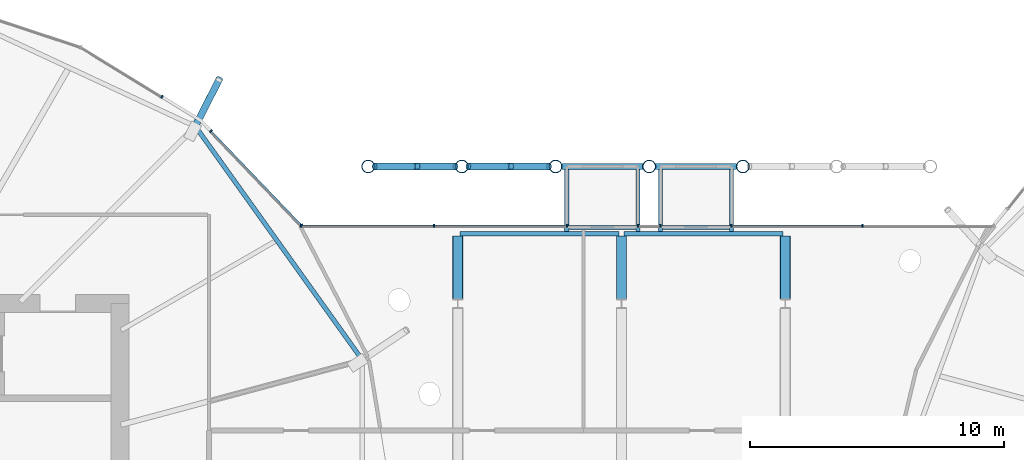
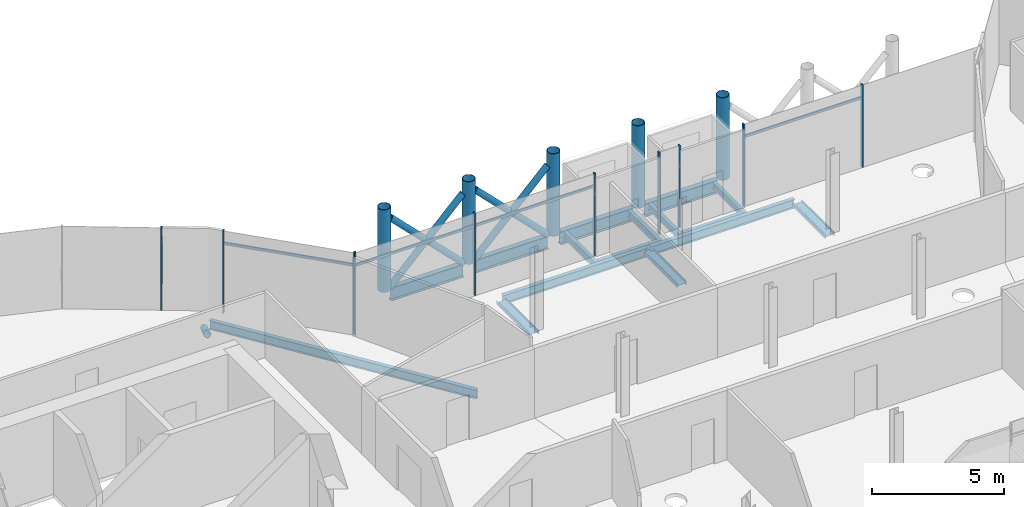
# One storey, part 11 of 40: 26 members, 16 beams, 2 elements without a shape of their own.
"""IFC4 building model written with IfcOpenShell, lengths in metres."""

import ifcopenshell
import ifcopenshell.guid

model = None  # the IFC model being written
_history = None  # IfcOwnerHistory: only IFC2X3 demands one
_inside = {}  # id of a spatial element -> (the spatial element, [elements in it])
_under = {}  # id of a project, library or spatial element -> (it, [spatial elements below it])
_declared = {}  # id of a project -> (the project, [libraries it declares])
_typed = {}  # id of a type object -> (the type object, [elements of that type])
_made_of = {}  # id of a material, layer set ... -> (it, [elements and type objects made of it])


def new_model(schema):
    """Start an empty IFC model of exactly this schema.

    Asked for "IFC4X3", IfcOpenShell would pick the latest addendum, in which some entities
    have other attributes; the version numbers below select the first issue.
    IFC2X3 requires an IfcOwnerHistory on every rooted entity: one is made here for all.
    """
    global model, _history
    if schema == "IFC4X3":
        model = ifcopenshell.file(schema_version=(4, 3, 0, 0))
    else:
        model = ifcopenshell.file(schema=schema)
    _inside.clear()
    _under.clear()
    _declared.clear()
    _typed.clear()
    _made_of.clear()
    _history = None
    if model.schema == "IFC2X3":
        org = make("IfcOrganization", Name="unknown")
        user = make(
            "IfcPersonAndOrganization",
            ThePerson=make("IfcPerson", FamilyName="unknown"),
            TheOrganization=org,
        )
        app = make(
            "IfcApplication",
            ApplicationDeveloper=org,
            Version="unknown",
            ApplicationFullName="unknown",
            ApplicationIdentifier="unknown",
        )
        _history = make(
            "IfcOwnerHistory",
            OwningUser=user,
            OwningApplication=app,
            ChangeAction="ADDED",
            CreationDate=0,
        )
    return model


def make(cls, **values):
    """One entity of the class cls with the attributes given. An attribute that is None is left unset."""
    return model.create_entity(
        cls, **{name: value for name, value in values.items() if value is not None}
    )


def rooted(cls, **values):
    """An entity with a GlobalId (a new one), such as an element, a storey or a relation."""
    return make(cls, GlobalId=ifcopenshell.guid.new(), OwnerHistory=_history, **values)


def si_unit(unit_type, name, prefix=None):
    """IfcSIUnit, for example si_unit("LENGTHUNIT", "METRE", prefix="MILLI")."""
    return make("IfcSIUnit", UnitType=unit_type, Prefix=prefix, Name=name)


def assignment(units):
    """IfcUnitAssignment: the units of a project."""
    return None if units is None else make("IfcUnitAssignment", Units=units)


def point(xyz):
    """IfcCartesianPoint."""
    return None if xyz is None else make("IfcCartesianPoint", Coordinates=xyz)


def direction(xyz):
    """IfcDirection."""
    return None if xyz is None else make("IfcDirection", DirectionRatios=xyz)


def frame(location, z_axis=None, x_axis=None):
    """IfcAxis2Placement3D, a coordinate frame: its origin and axes. An axis left out is left unset."""
    return make(
        "IfcAxis2Placement3D",
        Location=point(location),
        Axis=direction(z_axis),
        RefDirection=direction(x_axis),
    )


def frame_2d(location, x_axis=None):
    """IfcAxis2Placement2D, a coordinate frame in the plane: its origin and x axis."""
    return make(
        "IfcAxis2Placement2D", Location=point(location), RefDirection=direction(x_axis)
    )


def origin():
    """The frame at (0, 0, 0) with its axes left unset."""
    return frame((0.0, 0.0, 0.0))


def origin_2d():
    """The frame at (0, 0) in the plane with its x axis left unset."""
    return frame_2d((0.0, 0.0))


def place(relative_to, where):
    """IfcLocalPlacement: puts the frame where relative to a parent placement (None: the world)."""
    return make(
        "IfcLocalPlacement", PlacementRelTo=relative_to, RelativePlacement=where
    )


def context(
    kind, dimensions, precision=None, world=None, true_north=None, identifier=None
):
    """IfcGeometricRepresentationContext, for example the 3D "Model" context."""
    return make(
        "IfcGeometricRepresentationContext",
        ContextIdentifier=identifier,
        ContextType=kind,
        CoordinateSpaceDimension=dimensions,
        Precision=precision,
        WorldCoordinateSystem=world,
        TrueNorth=true_north,
    )


def subcontext(parent, identifier, kind, view, scale=None):
    """IfcGeometricRepresentationSubContext, for example "Body" below "Model"."""
    return make(
        "IfcGeometricRepresentationSubContext",
        ContextIdentifier=identifier,
        ContextType=kind,
        ParentContext=parent,
        TargetScale=scale,
        TargetView=view,
    )


def project(units=None, contexts=None):
    """IfcProject with its units and contexts."""
    return rooted(
        "IfcProject",
        Name="project",
        RepresentationContexts=contexts,
        UnitsInContext=assignment(units),
    )


def spatial(cls, under=None, at=None, **own):
    """A site, building, storey or space (cls), placed at a placement, below another one or the project."""
    s = rooted(cls, ObjectPlacement=at, **own)
    if under is not None:
        _under.setdefault(under.id(), (under, []))[1].append(s)
    return s


def profile(cls, at=None, kind="AREA", **sizes):
    """A parametric profile (cls). Its sizes go by their IFC names, for example OverallWidth=200.0."""
    return make(cls, ProfileType=kind, Position=at, **sizes)


def rectangle(**sizes):
    """IfcRectangleProfileDef."""
    return profile("IfcRectangleProfileDef", **sizes)


def hollow_circle(**sizes):
    """IfcCircleHollowProfileDef."""
    return profile("IfcCircleHollowProfileDef", **sizes)


def i_section(**sizes):
    """IfcIShapeProfileDef."""
    return profile("IfcIShapeProfileDef", **sizes)


def extrude(swept, where, along, depth):
    """IfcExtrudedAreaSolid: the profile swept, set in the frame where, extruded along a direction by depth."""
    return make(
        "IfcExtrudedAreaSolid",
        SweptArea=swept,
        Position=where,
        ExtrudedDirection=direction(along),
        Depth=depth,
    )


def clip(a, b, op="DIFFERENCE"):
    """IfcBooleanClippingResult: the solid a cut by the half space b."""
    return make(
        "IfcBooleanClippingResult", Operator=op, FirstOperand=a, SecondOperand=b
    )


def halfspace(plane, agree):
    """IfcHalfSpaceSolid: all space on one side of the plane z = 0 of the frame plane."""
    return make(
        "IfcHalfSpaceSolid",
        BaseSurface=make("IfcPlane", Position=plane),
        AgreementFlag=agree,
    )


def shape(context_of_items, identifier, shape_type, items):
    """IfcShapeRepresentation: the items that make up one representation, for example the "Body"."""
    return make(
        "IfcShapeRepresentation",
        ContextOfItems=context_of_items,
        RepresentationIdentifier=identifier,
        RepresentationType=shape_type,
        Items=items,
    )


def material(Name=None, Category=None):
    """IfcMaterial."""
    return make("IfcMaterial", Name=Name, Category=Category)


def material_profile(
    of_material, cross_section, Name=None, Category=None, Priority=None
):
    """IfcMaterialProfile: a cross section and its material."""
    return make(
        "IfcMaterialProfile",
        Name=Name,
        Material=of_material,
        Profile=cross_section,
        Priority=Priority,
        Category=Category,
    )


def profile_set(profiles, Name=None, composite=None):
    """IfcMaterialProfileSet."""
    return make(
        "IfcMaterialProfileSet",
        Name=Name,
        MaterialProfiles=profiles,
        CompositeProfile=composite,
    )


def made_of(thing, what):
    """Note that an element or type object is made of a material, layer set ...; save() writes the relation."""
    if what is not None:
        _made_of.setdefault(what.id(), (what, []))[1].append(thing)
    return thing


def type_object(cls, material=None, **own):
    """A type object (cls), such as IfcWallType, which elements share."""
    return made_of(rooted(cls, **own), material)


def element(
    cls,
    number,
    at=None,
    inside=None,
    cuts=None,
    type_object=None,
    material=None,
    context=None,
    identifier="Body",
    shape_type=None,
    held_by="IfcProductDefinitionShape",
    body=None,
    shapes=None,
    **own,
):
    """One element of the class cls, such as IfcWall. Its Tag is "e" and its number.

    at: its placement. inside: the storey or other place that contains it. cuts: it is an
    opening in that element (IfcRelVoidsElement). A single representation is given by context,
    identifier, shape_type and body (its items); several are given by shapes. held_by: the class
    of the entity that holds the representations. save() writes the other relations.
    """
    e = rooted(cls, Tag="e%d" % number, ObjectPlacement=at, **own)
    if body is not None:
        shapes = [shape(context, identifier, shape_type, body)]
    if shapes is not None:
        e.Representation = make(held_by, Representations=shapes)
    if inside is not None:
        _inside.setdefault(inside.id(), (inside, []))[1].append(e)
    if cuts is not None:
        rooted(
            "IfcRelVoidsElement", RelatingBuildingElement=cuts, RelatedOpeningElement=e
        )
    if type_object is not None:
        _typed.setdefault(type_object.id(), (type_object, []))[1].append(e)
    return made_of(e, material)


def aggregate(whole, parts):
    """IfcRelAggregates: a whole, such as a stair, and the parts it consists of."""
    return rooted("IfcRelAggregates", RelatingObject=whole, RelatedObjects=parts)


def save(model, path):
    """Write the relations noted so far, then the file.

    IfcRelAggregates (storeys below a building ...), IfcRelContainedInSpatialStructure (elements
    in a storey), IfcRelDefinesByType, IfcRelAssociatesMaterial and IfcRelDeclares: one each for
    every whole, place, type object, material and project.
    """
    for whole, parts in _under.values():
        aggregate(whole, parts)
    for where, things in _inside.values():
        rooted(
            "IfcRelContainedInSpatialStructure",
            RelatedElements=things,
            RelatingStructure=where,
        )
    for kind, things in _typed.values():
        rooted("IfcRelDefinesByType", RelatedObjects=things, RelatingType=kind)
    for what, things in _made_of.values():
        rooted("IfcRelAssociatesMaterial", RelatedObjects=things, RelatingMaterial=what)
    for by, libraries in _declared.values():
        rooted("IfcRelDeclares", RelatingContext=by, RelatedDefinitions=libraries)
    model.write(path)


model = new_model("IFC4")

# Units and contexts
model_context = context("Model", 3, precision=1e-05, world=origin(), true_north=direction((0.0, 1.0)))
body_context = subcontext(model_context, "Body", "Model", "MODEL_VIEW")
ifc_project = project(units=[si_unit("LENGTHUNIT", "METRE"), si_unit("AREAUNIT", "SQUARE_METRE"), si_unit("VOLUMEUNIT", "CUBIC_METRE"), si_unit("PLANEANGLEUNIT", "RADIAN"), si_unit("MASSUNIT", "GRAM", prefix="KILO")], contexts=[model_context])

# Site, building, storey
site_placement = place(None, origin())
site = spatial("IfcSite", under=ifc_project, at=site_placement, CompositionType="ELEMENT")
building_placement = place(site_placement, origin())
building = spatial("IfcBuilding", under=site, at=building_placement, Name="Rimbun Link Towers", CompositionType="ELEMENT")
storey_placement = place(building_placement, frame((0.0, 0.0, 150.60009765625)))
storey = spatial("IfcBuildingStorey", under=building, at=storey_placement, Name="L36", CompositionType="ELEMENT", Elevation=150.60009765625)

# Curtain wall, members
ifc_material_1 = material(Name="Aluminium 6063-T6 and low-iron glass", Category="aluminium")
curtain_wall_type = type_object("IfcCurtainWallType", Name="CW4 link block wall", PredefinedType="NOTDEFINED", material=ifc_material_1)
curtain_wall_1_placement = place(storey_placement, origin())
curtain_wall_1 = element("IfcCurtainWall", 1, at=curtain_wall_1_placement, inside=storey, type_object=curtain_wall_type, Name="CW4 L36 T1", PredefinedType="NOTDEFINED")
ifc_material_2 = material(Name="Aluminium 6063-T6", Category="aluminium")
ifc_material_profile_1 = material_profile(ifc_material_2, rectangle(XDim=0.1201171875, YDim=0.06005859375, at=origin_2d()), Name="MULLION 60X120")
ifc_profile_set_1 = profile_set([ifc_material_profile_1], Name="Aluminium 6063-T6")
member_type_1 = type_object("IfcMemberType", Name="CW4 mullion 60X120", PredefinedType="MULLION", material=ifc_profile_set_1)
member_1_placement = place(storey_placement, frame((-16.171875, 14.798583984375, 0.0), z_axis=(0.0, 0.0, 1.0), x_axis=(0.721858090698, 0.692041109252, 0.0)))
member_1 = element("IfcMember", 2, at=member_1_placement, type_object=member_type_1, Name="CW4 mullion", PredefinedType="MULLION", context=body_context, shape_type="SweptSolid", body=[
    extrude(rectangle(XDim=0.1201171875, YDim=0.06005859375, at=origin_2d()), origin(), (0.0, 0.0, 1.0), 3.7998046875),
])
member_2_placement = place(storey_placement, frame((-12.599853515625, 11.07275390625, 0.0), z_axis=(0.0, 0.0, 1.0), x_axis=(0.721858090698, 0.692041109252, 0.0)))
member_2 = element("IfcMember", 3, at=member_2_placement, type_object=member_type_1, Name="CW4 mullion", PredefinedType="MULLION", context=body_context, shape_type="SweptSolid", body=[
    extrude(rectangle(XDim=0.1201171875, YDim=0.06005859375, at=origin_2d()), origin(), (0.0, 0.0, 1.0), 3.7998046875),
])
member_3_placement = place(storey_placement, frame((-18.098388671875, 16.147216796875, 0.0), z_axis=(0.0, 0.0, 1.0), x_axis=(0.523225378089, 0.852194346217, 0.0)))
member_3 = element("IfcMember", 4, at=member_3_placement, type_object=member_type_1, Name="CW4 mullion", PredefinedType="MULLION", context=body_context, shape_type="SweptSolid", body=[
    extrude(rectangle(XDim=0.1201171875, YDim=0.06005859375, at=origin_2d()), origin(), (0.0, 0.0, 1.0), 3.7998046875),
])

curtain_wall_2_placement = place(storey_placement, origin())
curtain_wall_2 = element("IfcCurtainWall", 5, at=curtain_wall_2_placement, inside=storey, type_object=curtain_wall_type, Name="CW4 L36 LB", PredefinedType="NOTDEFINED")
member_4_placement = place(storey_placement, frame((-12.626953125, 11.06005859375, 0.0), z_axis=(0.0, 0.0, 1.0), x_axis=(0.0, 1.0, 0.0)))
member_4 = element("IfcMember", 6, at=member_4_placement, type_object=member_type_1, Name="CW4 mullion", PredefinedType="MULLION", context=body_context, shape_type="SweptSolid", body=[
    extrude(rectangle(XDim=0.1201171875, YDim=0.06005859375, at=origin_2d()), origin(), (0.0, 0.0, 1.0), 3.7998046875),
])
member_5_placement = place(storey_placement, frame((-7.39013671875, 11.06005859375, 0.0), z_axis=(0.0, 0.0, 1.0), x_axis=(0.0, 1.0, 0.0)))
member_5 = element("IfcMember", 7, at=member_5_placement, type_object=member_type_1, Name="CW4 mullion", PredefinedType="MULLION", context=body_context, shape_type="SweptSolid", body=[
    extrude(rectangle(XDim=0.1201171875, YDim=0.06005859375, at=origin_2d()), origin(), (0.0, 0.0, 1.0), 3.7998046875),
])
member_6_placement = place(storey_placement, frame((-2.1533203125, 11.06005859375, 0.0), z_axis=(0.0, 0.0, 1.0), x_axis=(0.0, 1.0, 0.0)))
member_6 = element("IfcMember", 8, at=member_6_placement, type_object=member_type_1, Name="CW4 mullion", PredefinedType="MULLION", context=body_context, shape_type="SweptSolid", body=[
    extrude(rectangle(XDim=0.1201171875, YDim=0.06005859375, at=origin_2d()), origin(), (0.0, 0.0, 1.0), 3.7998046875),
])
member_7_placement = place(storey_placement, frame((0.646728515625, 11.06005859375, 0.0), z_axis=(0.0, 0.0, 1.0), x_axis=(0.0, 1.0, 0.0)))
member_7 = element("IfcMember", 9, at=member_7_placement, type_object=member_type_1, Name="CW4 mullion", PredefinedType="MULLION", context=body_context, shape_type="SweptSolid", body=[
    extrude(rectangle(XDim=0.1201171875, YDim=0.06005859375, at=origin_2d()), origin(), (0.0, 0.0, 1.0), 3.7998046875),
])
member_8_placement = place(storey_placement, frame((1.536865234375, 11.06005859375, 0.0), z_axis=(0.0, 0.0, 1.0), x_axis=(0.0, 1.0, 0.0)))
member_8 = element("IfcMember", 10, at=member_8_placement, type_object=member_type_1, Name="CW4 mullion", PredefinedType="MULLION", context=body_context, shape_type="SweptSolid", body=[
    extrude(rectangle(XDim=0.1201171875, YDim=0.06005859375, at=origin_2d()), origin(), (0.0, 0.0, 1.0), 3.7998046875),
])
member_9_placement = place(storey_placement, frame((4.336669921875, 11.06005859375, 0.0), z_axis=(0.0, 0.0, 1.0), x_axis=(0.0, 1.0, 0.0)))
member_9 = element("IfcMember", 11, at=member_9_placement, type_object=member_type_1, Name="CW4 mullion", PredefinedType="MULLION", context=body_context, shape_type="SweptSolid", body=[
    extrude(rectangle(XDim=0.1201171875, YDim=0.06005859375, at=origin_2d()), origin(), (0.0, 0.0, 1.0), 3.7998046875),
])
member_10_placement = place(storey_placement, frame((9.498779296875, 11.06005859375, 0.0), z_axis=(0.0, 0.0, 1.0), x_axis=(0.0, 1.0, 0.0)))
member_10 = element("IfcMember", 12, at=member_10_placement, type_object=member_type_1, Name="CW4 mullion", PredefinedType="MULLION", context=body_context, shape_type="SweptSolid", body=[
    extrude(rectangle(XDim=0.1201171875, YDim=0.06005859375, at=origin_2d()), origin(), (0.0, 0.0, 1.0), 3.7998046875),
])

# Member
ifc_material_3 = material(Name="Aluminium 6063-T6", Category="aluminium")
ifc_material_profile_2 = material_profile(ifc_material_3, rectangle(XDim=0.06005859375, YDim=0.1201171875, at=origin_2d()), Name="TRANSOM 60X120")
ifc_profile_set_2 = profile_set([ifc_material_profile_2], Name="Aluminium 6063-T6")
member_type_2 = type_object("IfcMemberType", Name="CW4 transom 60X120", PredefinedType="USERDEFINED", material=ifc_profile_set_2)
member_11_placement = place(storey_placement, frame((-16.152587890625, 14.775634765625, 3.199951171875), z_axis=(0.692042551771, -0.72185670776, 0.0), x_axis=(0.72185670776, 0.692042551771, 0.0)))
member_11 = element("IfcMember", 13, at=member_11_placement, type_object=member_type_2, Name="CW4 transom", ObjectType="TRANSOM", PredefinedType="USERDEFINED", context=body_context, shape_type="SweptSolid", body=[
    extrude(rectangle(XDim=0.06005859375, YDim=0.1201171875, at=origin_2d()), origin(), (0.0, 0.0, 1.0), 5.1015625),
])

aggregate(curtain_wall_1, [member_1, member_2, member_3, member_11])

member_12_placement = place(storey_placement, frame((-12.596923828125, 11.05810546875, 3.199951171875), z_axis=(1.0, 0.0, 0.0), x_axis=(0.0, 1.0, 0.0)))
member_12 = element("IfcMember", 14, at=member_12_placement, type_object=member_type_2, Name="CW4 transom", ObjectType="TRANSOM", PredefinedType="USERDEFINED", context=body_context, shape_type="SweptSolid", body=[
    extrude(rectangle(XDim=0.06005859375, YDim=0.1201171875, at=origin_2d()), origin(), (0.0, 0.0, 1.0), 5.1767578125),
])

member_13_placement = place(storey_placement, frame((-7.360107421875, 11.05810546875, 3.199951171875), z_axis=(1.0, 0.0, 0.0), x_axis=(0.0, 1.0, 0.0)))
member_13 = element("IfcMember", 15, at=member_13_placement, type_object=member_type_2, Name="CW4 transom", ObjectType="TRANSOM", PredefinedType="USERDEFINED", context=body_context, shape_type="SweptSolid", body=[
    extrude(rectangle(XDim=0.06005859375, YDim=0.1201171875, at=origin_2d()), origin(), (0.0, 0.0, 1.0), 5.177001953125),
])

member_14_placement = place(storey_placement, frame((4.36669921875, 11.05810546875, 3.199951171875), z_axis=(1.0, 0.0, 0.0), x_axis=(0.0, 1.0, 0.0)))
member_14 = element("IfcMember", 16, at=member_14_placement, type_object=member_type_2, Name="CW4 transom", ObjectType="TRANSOM", PredefinedType="USERDEFINED", context=body_context, shape_type="SweptSolid", body=[
    extrude(rectangle(XDim=0.06005859375, YDim=0.1201171875, at=origin_2d()), origin(), (0.0, 0.0, 1.0), 5.10205078125),
])

aggregate(curtain_wall_2, [member_4, member_5, member_6, member_7, member_8, member_9, member_10, member_12, member_13, member_14])

# Beams
ifc_material_4 = material(Name="Steel S355J2", Category="steel")
ifc_material_profile_3 = material_profile(ifc_material_4, i_section(OverallWidth=0.1650390625, OverallDepth=0.303466796875, WebThickness=0.006103515625, FlangeThickness=0.01025390625, at=origin_2d()), Name="UB 305x165x40")
ifc_profile_set_3 = profile_set([ifc_material_profile_3], Name="Steel S355J2")
beam_type_1 = type_object("IfcBeamType", Name="Capsule bracket beam UB 305x165x40", PredefinedType="BEAM", material=ifc_profile_set_3)
for number, where, z_axis, x_axis, name in (
    (17, (-2.1533203125, 10.8349609375, -0.371826171875), (0.0, 1.0, 0.0), (-1.0, 0.0, 0.0), "Capsule F36.01 bracket beam 1"),
    (18, (0.646728515625, 10.8349609375, -0.371826171875), (0.0, 1.0, 0.0), (-1.0, 0.0, 0.0), "Capsule F36.01 bracket beam 2"),
):
    element("IfcBeam", number, at=place(storey_placement, frame(where, z_axis=z_axis, x_axis=x_axis)), inside=storey, type_object=beam_type_1, Name=name, PredefinedType="BEAM", context=body_context, shape_type="SweptSolid", body=[
        extrude(i_section(OverallWidth=0.1650390625, OverallDepth=0.303466796875, WebThickness=0.006103515625, FlangeThickness=0.01025390625, at=origin_2d()), origin(), (0.0, 0.0, 1.0), 2.451171875),
    ])
beam_1_placement = place(storey_placement, frame((-2.07080078125, 11.0, -0.371826171875), z_axis=(1.0, 0.0, 0.0), x_axis=(0.0, 1.0, 0.0)))
element("IfcBeam", 19, at=beam_1_placement, inside=storey, type_object=beam_type_1, Name="Capsule F36.01 bracket beam 3", PredefinedType="BEAM", context=body_context, shape_type="SweptSolid", body=[
    extrude(i_section(OverallWidth=0.1650390625, OverallDepth=0.303466796875, WebThickness=0.006103515625, FlangeThickness=0.01025390625, at=origin_2d()), origin(), (0.0, 0.0, 1.0), 2.635009765625),
])
for number, where, z_axis, x_axis, name in (
    (20, (1.536865234375, 10.8349609375, -0.371826171875), (0.0, 1.0, 0.0), (-1.0, 0.0, 0.0), "Capsule F36.02 bracket beam 1"),
    (21, (4.336669921875, 10.8349609375, -0.371826171875), (0.0, 1.0, 0.0), (-1.0, 0.0, 0.0), "Capsule F36.02 bracket beam 2"),
):
    element("IfcBeam", number, at=place(storey_placement, frame(where, z_axis=z_axis, x_axis=x_axis)), inside=storey, type_object=beam_type_1, Name=name, PredefinedType="BEAM", context=body_context, shape_type="SweptSolid", body=[
        extrude(i_section(OverallWidth=0.1650390625, OverallDepth=0.303466796875, WebThickness=0.006103515625, FlangeThickness=0.01025390625, at=origin_2d()), origin(), (0.0, 0.0, 1.0), 2.451171875),
    ])
beam_2_placement = place(storey_placement, frame((1.619140625, 11.0, -0.371826171875), z_axis=(1.0, 0.0, 0.0), x_axis=(0.0, 1.0, 0.0)))
element("IfcBeam", 22, at=beam_2_placement, inside=storey, type_object=beam_type_1, Name="Capsule F36.02 bracket beam 3", PredefinedType="BEAM", context=body_context, shape_type="SweptSolid", body=[
    extrude(i_section(OverallWidth=0.1650390625, OverallDepth=0.303466796875, WebThickness=0.006103515625, FlangeThickness=0.01025390625, at=origin_2d()), origin(), (0.0, 0.0, 1.0), 2.635009765625),
])

# Member
ifc_material_5 = material(Name="Steel S355J2H", Category="steel")
ifc_material_profile_4 = material_profile(ifc_material_5, hollow_circle(Radius=0.136474609375, WallThickness=0.012451171875, at=origin_2d()), Name="CHS 273x12.5")
ifc_profile_set_4 = profile_set([ifc_material_profile_4], Name="Steel S355J2H")
member_type_3 = type_object("IfcMemberType", Name="Floor edge link CHS 273x12.5", PredefinedType="BRACE", material=ifc_profile_set_4)
member_15_placement = place(storey_placement, frame((-16.81298828125, 14.93701171875, -0.8310546875), z_axis=(0.394942777673, 0.772022835281, -0.497996931886), x_axis=(-0.890269507459, 0.455434083144, 0.0)))
element("IfcMember", 23, at=member_15_placement, inside=storey, type_object=member_type_3, Name="Floor edge link T1 L36 03", PredefinedType="BRACE", context=body_context, shape_type="Clipping", body=[
    clip(extrude(hollow_circle(Radius=0.136474609375, WallThickness=0.012451171875, at=origin_2d()), frame((0.0, 0.0, -0.495361328125)), (0.0, 0.0, 1.0), 2.98291015625), halfspace(frame((0.0, 0.0, -0.232666015625), z_axis=(0.0, 0.867178791157, -0.497996931886)), False)),
])

# Beams
ifc_material_6 = material(Name="Steel S355J2", Category="steel")
ifc_material_profile_5 = material_profile(ifc_material_6, i_section(OverallWidth=0.177978515625, OverallDepth=0.406494140625, WebThickness=0.0078125, FlangeThickness=0.0126953125, at=origin_2d()), Name="UKB 406x178x60")
ifc_profile_set_5 = profile_set([ifc_material_profile_5], Name="Steel S355J2")
beam_type_2 = type_object("IfcBeamType", Name="Link floor beam UKB 406x178x60", PredefinedType="BEAM", material=ifc_profile_set_5)
for number, where, z_axis, x_axis, name in (
    (24, (-6.449951171875, 8.1875, -0.36328125), (0.0, 1.0, 0.0), (0.0, 0.0, 1.0), "Link floor beam L36 03"),
    (25, (0.0, 8.1875, -0.36328125), (0.0, 1.0, 0.0), (0.0, 0.0, 1.0), "Link floor beam L36 07"),
    (26, (6.449951171875, 8.1875, -0.36328125), (0.0, 1.0, 0.0), (0.0, 0.0, 1.0), "Link floor beam L36 11"),
):
    element("IfcBeam", number, at=place(storey_placement, frame(where, z_axis=z_axis, x_axis=x_axis)), inside=storey, type_object=beam_type_2, Name=name, PredefinedType="BEAM", context=body_context, shape_type="SweptSolid", body=[
        extrude(i_section(OverallWidth=0.177978515625, OverallDepth=0.406494140625, WebThickness=0.0078125, FlangeThickness=0.0126953125, at=origin_2d()), origin(), (0.0, 0.0, 1.0), 2.473388671875),
    ])
for number, where, z_axis, x_axis, name in (
    (27, (-6.361083984375, 10.75, -0.36328125), (1.0, 0.0, 0.0), (0.0, 1.0, 0.0), "Link edge beam L36 14"),
    (28, (0.089111328125, 10.75, -0.36328125), (1.0, 0.0, 0.0), (0.0, 1.0, 0.0), "Link edge beam L36 15"),
):
    element("IfcBeam", number, at=place(storey_placement, frame(where, z_axis=z_axis, x_axis=x_axis)), inside=storey, type_object=beam_type_2, Name=name, PredefinedType="BEAM", context=body_context, shape_type="SweptSolid", body=[
        extrude(i_section(OverallWidth=0.177978515625, OverallDepth=0.406494140625, WebThickness=0.0078125, FlangeThickness=0.0126953125, at=origin_2d()), origin(), (0.0, 0.0, 1.0), 6.27197265625),
    ])

# Members
ifc_material_7 = material(Name="Steel S355J2H", Category="steel")
ifc_material_profile_6 = material_profile(ifc_material_7, hollow_circle(Radius=0.136474609375, WallThickness=0.012451171875, at=origin_2d()), Name="CHS 273x12.5")
ifc_profile_set_6 = profile_set([ifc_material_profile_6], Name="Steel S355J2H")
member_type_4 = type_object("IfcMemberType", Name="Link megaframe brace CHS 273x12.5", PredefinedType="BRACE", material=ifc_profile_set_6)
member_16_placement = place(storey_placement, frame((-9.72412109375, 13.39990234375, -0.22021484375), z_axis=(0.70539994646, 0.0, 0.708809505815), x_axis=(0.0, 1.0, 0.0)))
element("IfcMember", 29, at=member_16_placement, inside=storey, type_object=member_type_4, Name="Link megaframe brace N0-1 bay 5.1", PredefinedType="BRACE", context=body_context, shape_type="SweptSolid", body=[
    extrude(hollow_circle(Radius=0.136474609375, WallThickness=0.012451171875, at=origin_2d()), origin(), (0.0, 0.0, 1.0), 4.510986328125),
])
member_17_placement = place(storey_placement, frame((-6.5419921875, 13.39990234375, -0.22021484375), z_axis=(-0.70537354252, 0.0, 0.708835781767), x_axis=(0.0, -1.0, 0.0)))
element("IfcMember", 30, at=member_17_placement, inside=storey, type_object=member_type_4, Name="Link megaframe brace N0-1 bay 5.2a", PredefinedType="BRACE", context=body_context, shape_type="SweptSolid", body=[
    extrude(hollow_circle(Radius=0.136474609375, WallThickness=0.012451171875, at=origin_2d()), origin(), (0.0, 0.0, 1.0), 2.115478515625),
])
member_18_placement = place(storey_placement, frame((-8.231689453125, 13.39990234375, 1.477783203125), z_axis=(-0.705431521965, 0.0, 0.708778080797), x_axis=(0.0, -1.0, 0.0)))
element("IfcMember", 31, at=member_18_placement, inside=storey, type_object=member_type_4, Name="Link megaframe brace N0-1 bay 5.2b", PredefinedType="BRACE", context=body_context, shape_type="SweptSolid", body=[
    extrude(hollow_circle(Radius=0.136474609375, WallThickness=0.012451171875, at=origin_2d()), origin(), (0.0, 0.0, 1.0), 2.11572265625),
])
member_19_placement = place(storey_placement, frame((-6.0341796875, 13.39990234375, -0.22021484375), z_axis=(0.70537275443, 0.0, 0.708836566007), x_axis=(0.0, 1.0, 0.0)))
element("IfcMember", 32, at=member_19_placement, inside=storey, type_object=member_type_4, Name="Link megaframe brace N1-2 bay 5.1", PredefinedType="BRACE", context=body_context, shape_type="SweptSolid", body=[
    extrude(hollow_circle(Radius=0.136474609375, WallThickness=0.012451171875, at=origin_2d()), origin(), (0.0, 0.0, 1.0), 4.510986328125),
])
for number, where, z_axis, x_axis, name in (
    (33, (-2.852294921875, 13.39990234375, -0.22021484375), (-0.70537354252, 0.0, 0.708835781767), (0.0, -1.0, 0.0), "Link megaframe brace N1-2 bay 5.2a"),
    (34, (-4.5419921875, 13.39990234375, 1.477783203125), (-0.70537354252, 0.0, 0.708835781767), (0.0, -1.0, 0.0), "Link megaframe brace N1-2 bay 5.2b"),
):
    element("IfcMember", number, at=place(storey_placement, frame(where, z_axis=z_axis, x_axis=x_axis)), inside=storey, type_object=member_type_4, Name=name, PredefinedType="BRACE", context=body_context, shape_type="SweptSolid", body=[
        extrude(hollow_circle(Radius=0.136474609375, WallThickness=0.012451171875, at=origin_2d()), origin(), (0.0, 0.0, 1.0), 2.115478515625),
    ])
ifc_material_8 = material(Name="Steel S355J2H", Category="steel")
ifc_material_profile_7 = material_profile(ifc_material_8, hollow_circle(Radius=0.25390625, WallThickness=0.02001953125, at=origin_2d()), Name="CHS 508x20")
ifc_profile_set_7 = profile_set([ifc_material_profile_7], Name="Steel S355J2H")
member_type_5 = type_object("IfcMemberType", Name="Link megaframe post CHS 508x20", PredefinedType="POST", material=ifc_profile_set_7)
for number, where, z_axis, x_axis, name in (
    (35, (-9.97802734375, 13.39990234375, -0.22021484375), (0.0, 0.0, 1.0), (1.0, 0.0, 0.0), "Link megaframe post N0 bay 5"),
    (36, (-6.2880859375, 13.39990234375, -0.22021484375), (0.0, 0.0, 1.0), (1.0, 0.0, 0.0), "Link megaframe post N1 bay 5"),
    (37, (-2.59814453125, 13.39990234375, -0.22021484375), (0.0, 0.0, 1.0), (1.0, 0.0, 0.0), "Link megaframe post N2 bay 5"),
    (38, (1.091796875, 13.39990234375, -0.22021484375), (0.0, 0.0, 1.0), (1.0, 0.0, 0.0), "Link megaframe post N3 bay 5"),
    (39, (4.78173828125, 13.39990234375, -0.22021484375), (0.0, 0.0, 1.0), (1.0, 0.0, 0.0), "Link megaframe post N4 bay 5"),
):
    element("IfcMember", number, at=place(storey_placement, frame(where, z_axis=z_axis, x_axis=x_axis)), inside=storey, type_object=member_type_5, Name=name, PredefinedType="POST", context=body_context, shape_type="SweptSolid", body=[
        extrude(hollow_circle(Radius=0.25390625, WallThickness=0.02001953125, at=origin_2d()), origin(), (0.0, 0.0, 1.0), 3.800048828125),
    ])

# Beams
ifc_material_9 = material(Name="Steel S355J2", Category="steel")
ifc_material_profile_8 = material_profile(ifc_material_9, i_section(OverallWidth=0.2275390625, OverallDepth=0.6025390625, WebThickness=0.010498046875, FlangeThickness=0.014892578125, at=origin_2d()), Name="UB 610x229x101")
ifc_profile_set_8 = profile_set([ifc_material_profile_8], Name="Steel S355J2")
beam_type_3 = type_object("IfcBeamType", Name="Link megaframe ring beam UB 610x229x101", PredefinedType="BEAM", material=ifc_profile_set_8)
beam_3_placement = place(storey_placement, frame((-9.72412109375, 13.39990234375, -0.521484375), z_axis=(1.0, 0.0, 0.0), x_axis=(0.0, 1.0, 0.0)))
element("IfcBeam", 40, at=beam_3_placement, inside=storey, type_object=beam_type_3, Name="Link megaframe ring beam N0-1 L36", PredefinedType="BEAM", context=body_context, shape_type="SweptSolid", body=[
    extrude(i_section(OverallWidth=0.2275390625, OverallDepth=0.6025390625, WebThickness=0.010498046875, FlangeThickness=0.014892578125, at=origin_2d()), origin(), (0.0, 0.0, 1.0), 3.18212890625),
])
beam_4_placement = place(storey_placement, frame((-6.0341796875, 13.39990234375, -0.521484375), z_axis=(1.0, 0.0, 0.0), x_axis=(0.0, 1.0, 0.0)))
element("IfcBeam", 41, at=beam_4_placement, inside=storey, type_object=beam_type_3, Name="Link megaframe ring beam N1-2 L36", PredefinedType="BEAM", context=body_context, shape_type="SweptSolid", body=[
    extrude(i_section(OverallWidth=0.2275390625, OverallDepth=0.6025390625, WebThickness=0.010498046875, FlangeThickness=0.014892578125, at=origin_2d()), origin(), (0.0, 0.0, 1.0), 3.181884765625),
])
beam_5_placement = place(storey_placement, frame((-2.34423828125, 13.39990234375, -0.521484375), z_axis=(1.0, 0.0, 0.0), x_axis=(0.0, 1.0, 0.0)))
element("IfcBeam", 42, at=beam_5_placement, inside=storey, type_object=beam_type_3, Name="Link megaframe ring beam N2-3 L36", PredefinedType="BEAM", context=body_context, shape_type="SweptSolid", body=[
    extrude(i_section(OverallWidth=0.2275390625, OverallDepth=0.6025390625, WebThickness=0.010498046875, FlangeThickness=0.014892578125, at=origin_2d()), origin(), (0.0, 0.0, 1.0), 3.18212890625),
])
beam_6_placement = place(storey_placement, frame((1.345703125, 13.39990234375, -0.521484375), z_axis=(1.0, 0.0, 0.0), x_axis=(0.0, 1.0, 0.0)))
element("IfcBeam", 43, at=beam_6_placement, inside=storey, type_object=beam_type_3, Name="Link megaframe ring beam N3-4 L36", PredefinedType="BEAM", context=body_context, shape_type="SweptSolid", body=[
    extrude(i_section(OverallWidth=0.2275390625, OverallDepth=0.6025390625, WebThickness=0.010498046875, FlangeThickness=0.014892578125, at=origin_2d()), origin(), (0.0, 0.0, 1.0), 3.181884765625),
])
ifc_material_10 = material(Name="Steel S355J2", Category="steel")
ifc_material_profile_9 = material_profile(ifc_material_10, i_section(OverallWidth=0.177978515625, OverallDepth=0.406494140625, WebThickness=0.0078125, FlangeThickness=0.0126953125, at=origin_2d()), Name="UB 406x178x60")
ifc_profile_set_9 = profile_set([ifc_material_profile_9], Name="Steel S355J2")
beam_type_4 = type_object("IfcBeamType", Name="UB 406x178x60", PredefinedType="BEAM", material=ifc_profile_set_9)
beam_7_placement = place(storey_placement, frame((-10.26953125, 5.864990234375, -0.38330078125), z_axis=(-0.581402745389, 0.81361590917, 0.0), x_axis=(-0.81361590917, -0.581402745389, 0.0)))
element("IfcBeam", 44, at=beam_7_placement, inside=storey, type_object=beam_type_4, Name="Edge beam T1 L36 01-03", PredefinedType="BEAM", context=body_context, shape_type="SweptSolid", body=[
    extrude(i_section(OverallWidth=0.177978515625, OverallDepth=0.406494140625, WebThickness=0.0078125, FlangeThickness=0.0126953125, at=origin_2d()), origin(), (0.0, 0.0, 1.0), 11.086669921875),
])

save(model, "model.ifc")
